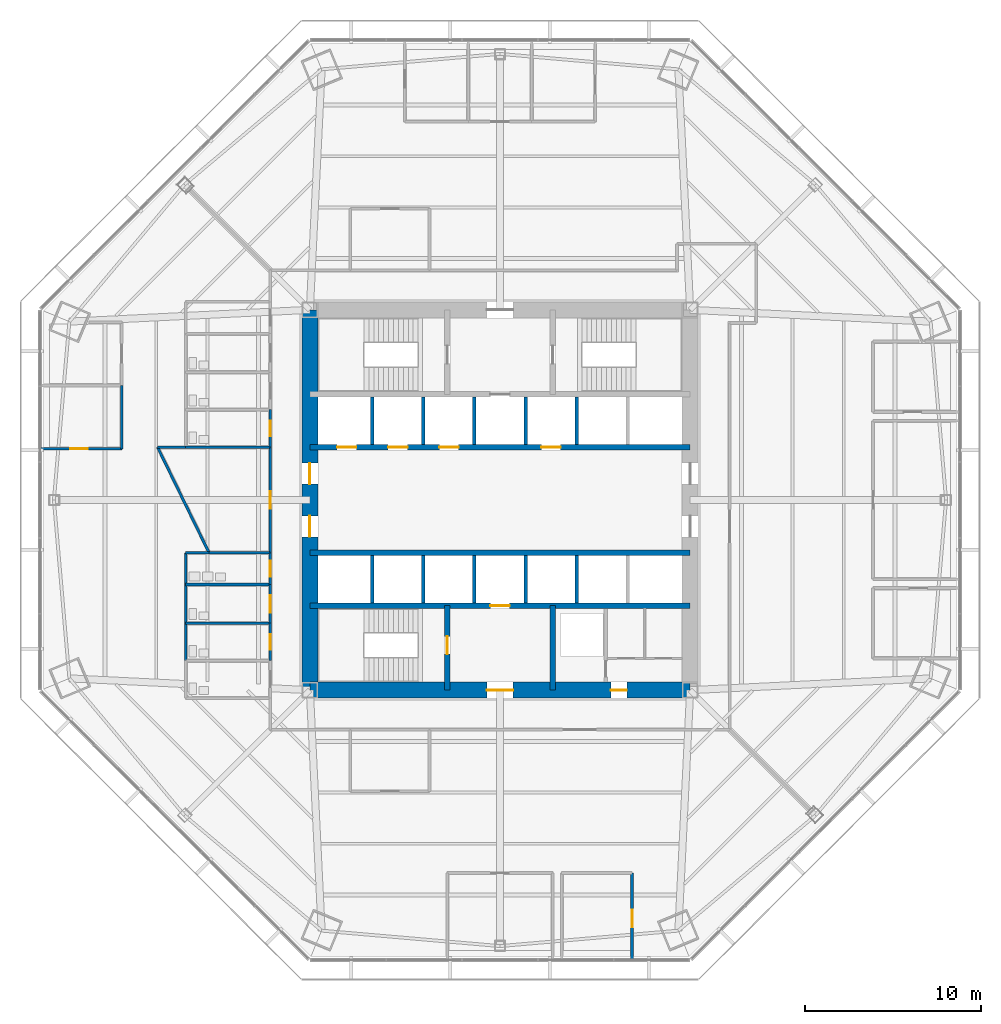
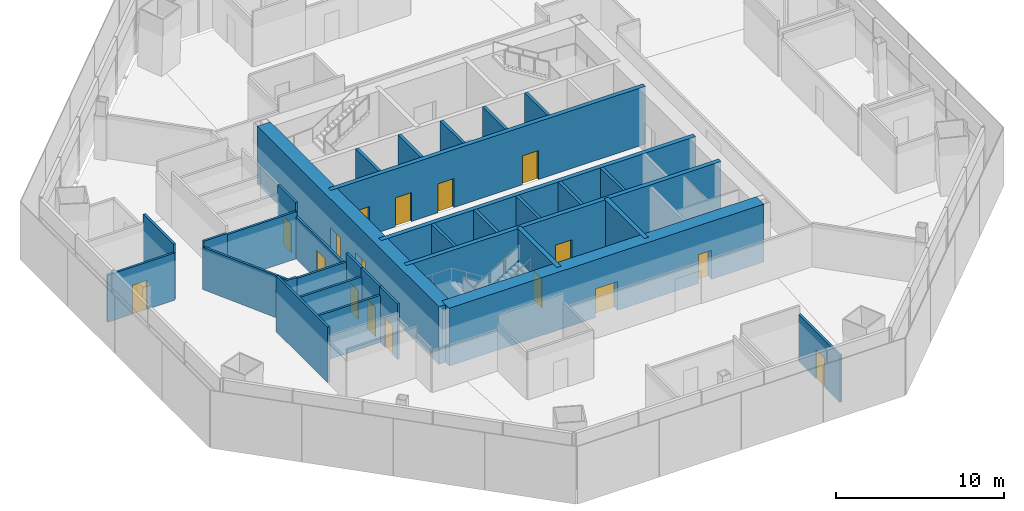
# One storey, part 9 of 15: 33 walls, 17 doors, 17 openings.
"""IFC4 building model written with IfcOpenShell, lengths in metres."""

from ifc_helpers import new_model, si_unit, direction, frame, frame_2d, origin, place, context, subcontext, project, spatial, rectangle, extrude, material, layer, layer_set, type_object, element, fill, save


model = new_model("IFC4")

# Units and contexts
model_context = context("Model", 3, precision=1e-05, world=origin(), true_north=direction((0.0, 1.0)))
body_context = subcontext(model_context, "Body", "Model", "MODEL_VIEW")
ifc_project = project(units=[si_unit("LENGTHUNIT", "METRE"), si_unit("AREAUNIT", "SQUARE_METRE"), si_unit("VOLUMEUNIT", "CUBIC_METRE"), si_unit("PLANEANGLEUNIT", "RADIAN"), si_unit("MASSUNIT", "GRAM", prefix="KILO")], contexts=[model_context])

# Site, building, storey
site_placement = place(None, origin())
site = spatial("IfcSite", under=ifc_project, at=site_placement, CompositionType="ELEMENT")
building_placement = place(site_placement, origin())
building = spatial("IfcBuilding", under=site, at=building_placement, Name="Mashrafa Tower", CompositionType="ELEMENT")
storey_placement = place(building_placement, frame((0.0, 0.0, 66.60009765625)))
storey = spatial("IfcBuildingStorey", under=building, at=storey_placement, Name="L14", CompositionType="ELEMENT", Elevation=66.60009765625)

# Wall, openings, doors
ifc_material_1 = material(Name="Concrete C60/75", Category="concrete")
ifc_layer_1 = layer(ifc_material_1, 0.300048828125)
ifc_layer_set_1 = layer_set([ifc_layer_1], Name="Core wall 300 C60/75")
wall_type_1 = type_object("IfcWallType", Name="Core wall 300 C60/75", PredefinedType="SOLIDWALL", material=ifc_layer_set_1)
wall_1_placement = place(storey_placement, frame((-10.800048828125, 3.0, 0.0), z_axis=(0.0, 0.0, 1.0), x_axis=(1.0, 0.0, 0.0)))
wall_1 = element("IfcWall", 1, at=wall_1_placement, inside=storey, type_object=wall_type_1, Name="Core wall CH-N L14", PredefinedType="SOLIDWALL", context=body_context, shape_type="SweptSolid", body=[
    extrude(rectangle(XDim=21.60009765625, YDim=0.300048828125, at=frame_2d((10.800048828125, 0.0))), origin(), (0.0, 0.0, 1.0), 4.199951171875),
])
opening_1_placement = place(wall_1_placement, frame((1.550048828125, 0.0, 0.0)))
opening_1 = element("IfcOpeningElement", 2, at=opening_1_placement, cuts=wall_1, Name="Opening 14.A1", PredefinedType="OPENING", context=body_context, shape_type="SweptSolid", body=[
    extrude(rectangle(XDim=1.10009765625, YDim=2.10009765625, at=frame_2d((0.550048828125, 1.050048828125))), frame((0.0, 0.159912109375, 0.0), z_axis=(0.0, -1.0, 0.0), x_axis=(1.0, 0.0, 0.0)), (0.0, 0.0, 1.0), 0.320068359375),
])
opening_2_placement = place(wall_1_placement, frame((4.449951171875, 0.0, 0.0)))
opening_2 = element("IfcOpeningElement", 3, at=opening_2_placement, cuts=wall_1, Name="Opening 14.A2", PredefinedType="OPENING", context=body_context, shape_type="SweptSolid", body=[
    extrude(rectangle(XDim=1.10009765625, YDim=2.10009765625, at=frame_2d((0.550048828125, 1.050048828125))), frame((0.0, 0.159912109375, 0.0), z_axis=(0.0, -1.0, 0.0), x_axis=(1.0, 0.0, 0.0)), (0.0, 0.0, 1.0), 0.320068359375),
])
opening_3_placement = place(wall_1_placement, frame((7.35009765625, 0.0, 0.0)))
opening_3 = element("IfcOpeningElement", 4, at=opening_3_placement, cuts=wall_1, Name="Opening 14.A3", PredefinedType="OPENING", context=body_context, shape_type="SweptSolid", body=[
    extrude(rectangle(XDim=1.10009765625, YDim=2.10009765625, at=frame_2d((0.550048828125, 1.050048828125))), frame((0.0, 0.159912109375, 0.0), z_axis=(0.0, -1.0, 0.0), x_axis=(1.0, 0.0, 0.0)), (0.0, 0.0, 1.0), 0.320068359375),
])
opening_4_placement = place(wall_1_placement, frame((13.14990234375, 0.0, 0.0)))
opening_4 = element("IfcOpeningElement", 5, at=opening_4_placement, cuts=wall_1, Name="Opening 14.A4", PredefinedType="OPENING", context=body_context, shape_type="SweptSolid", body=[
    extrude(rectangle(XDim=1.10009765625, YDim=2.10009765625, at=frame_2d((0.550048828125, 1.050048828125))), frame((0.0, 0.159912109375, 0.0), z_axis=(0.0, -1.0, 0.0), x_axis=(1.0, 0.0, 0.0)), (0.0, 0.0, 1.0), 0.320068359375),
])
ifc_material_2 = material(Name="Steel door", Category="steel")
door_type_1 = type_object("IfcDoorType", Name="Lift landing door 1100 x 2100 90 min", OperationType="DOUBLE_DOOR_SLIDING", PredefinedType="DOOR", material=ifc_material_2)
door_1_placement = place(opening_1_placement, origin())
door_1 = element("IfcDoor", 6, at=door_1_placement, inside=storey, type_object=door_type_1, Name="Lift landing door A1 L14", OperationType="DOUBLE_DOOR_SLIDING", OverallHeight=2.10009765625, OverallWidth=1.10009765625, PredefinedType="DOOR", context=body_context, shape_type="SweptSolid", body=[
    extrude(rectangle(XDim=1.10009765625, YDim=2.10009765625, at=frame_2d((0.550048828125, 1.050048828125))), frame((0.0, 0.02490234375, 0.0), z_axis=(0.0, -1.0, 0.0), x_axis=(1.0, 0.0, 0.0)), (0.0, 0.0, 1.0), 0.050048828125),
])
fill(opening_1, door_1)
door_2_placement = place(opening_2_placement, origin())
door_2 = element("IfcDoor", 7, at=door_2_placement, inside=storey, type_object=door_type_1, Name="Lift landing door A2 L14", OperationType="DOUBLE_DOOR_SLIDING", OverallHeight=2.10009765625, OverallWidth=1.10009765625, PredefinedType="DOOR", context=body_context, shape_type="SweptSolid", body=[
    extrude(rectangle(XDim=1.10009765625, YDim=2.10009765625, at=frame_2d((0.550048828125, 1.050048828125))), frame((0.0, 0.02490234375, 0.0), z_axis=(0.0, -1.0, 0.0), x_axis=(1.0, 0.0, 0.0)), (0.0, 0.0, 1.0), 0.050048828125),
])
fill(opening_2, door_2)
door_3_placement = place(opening_3_placement, origin())
door_3 = element("IfcDoor", 8, at=door_3_placement, inside=storey, type_object=door_type_1, Name="Lift landing door A3 L14", OperationType="DOUBLE_DOOR_SLIDING", OverallHeight=2.10009765625, OverallWidth=1.10009765625, PredefinedType="DOOR", context=body_context, shape_type="SweptSolid", body=[
    extrude(rectangle(XDim=1.10009765625, YDim=2.10009765625, at=frame_2d((0.550048828125, 1.050048828125))), frame((0.0, 0.02490234375, 0.0), z_axis=(0.0, -1.0, 0.0), x_axis=(1.0, 0.0, 0.0)), (0.0, 0.0, 1.0), 0.050048828125),
])
fill(opening_3, door_3)
door_4_placement = place(opening_4_placement, origin())
door_4 = element("IfcDoor", 9, at=door_4_placement, inside=storey, type_object=door_type_1, Name="Lift landing door A4 L14", OperationType="DOUBLE_DOOR_SLIDING", OverallHeight=2.10009765625, OverallWidth=1.10009765625, PredefinedType="DOOR", context=body_context, shape_type="SweptSolid", body=[
    extrude(rectangle(XDim=1.10009765625, YDim=2.10009765625, at=frame_2d((0.550048828125, 1.050048828125))), frame((0.0, 0.02490234375, 0.0), z_axis=(0.0, -1.0, 0.0), x_axis=(1.0, 0.0, 0.0)), (0.0, 0.0, 1.0), 0.050048828125),
])
fill(opening_4, door_4)

# Wall
wall_2_placement = place(storey_placement, frame((-10.800048828125, -3.0, 0.0), z_axis=(0.0, 0.0, 1.0), x_axis=(1.0, 0.0, 0.0)))
element("IfcWall", 10, at=wall_2_placement, inside=storey, type_object=wall_type_1, Name="Core wall CH-S L14", PredefinedType="SOLIDWALL", context=body_context, shape_type="SweptSolid", body=[
    extrude(rectangle(XDim=21.60009765625, YDim=0.300048828125, at=frame_2d((10.800048828125, 0.0))), origin(), (0.0, 0.0, 1.0), 4.199951171875),
])

# Wall, opening, door
wall_3_placement = place(storey_placement, frame((-10.800048828125, -6.0, 0.0), z_axis=(0.0, 0.0, 1.0), x_axis=(1.0, 0.0, 0.0)))
wall_3 = element("IfcWall", 11, at=wall_3_placement, inside=storey, type_object=wall_type_1, Name="Core wall CB-S L14", PredefinedType="SOLIDWALL", context=body_context, shape_type="SweptSolid", body=[
    extrude(rectangle(XDim=21.60009765625, YDim=0.300048828125, at=frame_2d((10.800048828125, 0.0))), origin(), (0.0, 0.0, 1.0), 4.199951171875),
])
opening_5_placement = place(wall_3_placement, frame((10.25, 0.0, 0.0)))
opening_5 = element("IfcOpeningElement", 12, at=opening_5_placement, cuts=wall_3, Name="Opening 14.F2", PredefinedType="OPENING", context=body_context, shape_type="SweptSolid", body=[
    extrude(rectangle(XDim=1.10009765625, YDim=2.10009765625, at=frame_2d((0.550048828125, 1.050048828125))), frame((0.0, 0.159912109375, 0.0), z_axis=(0.0, -1.0, 0.0), x_axis=(1.0, 0.0, 0.0)), (0.0, 0.0, 1.0), 0.320068359375),
])
door_5_placement = place(opening_5_placement, origin())
door_5 = element("IfcDoor", 13, at=door_5_placement, inside=storey, type_object=door_type_1, Name="Lift landing door F2 L14", OperationType="DOUBLE_DOOR_SLIDING", OverallHeight=2.10009765625, OverallWidth=1.10009765625, PredefinedType="DOOR", context=body_context, shape_type="SweptSolid", body=[
    extrude(rectangle(XDim=1.10009765625, YDim=2.10009765625, at=frame_2d((0.550048828125, 1.050048828125))), frame((0.0, 0.02490234375, 0.0), z_axis=(0.0, -1.0, 0.0), x_axis=(1.0, 0.0, 0.0)), (0.0, 0.0, 1.0), 0.050048828125),
])
fill(opening_5, door_5)

wall_4_placement = place(storey_placement, frame((-3.0, -6.0, 0.0), z_axis=(0.0, 0.0, 1.0), x_axis=(0.0, -1.0, 0.0)))
wall_4 = element("IfcWall", 14, at=wall_4_placement, inside=storey, type_object=wall_type_1, Name="Core wall CX-SW L14", PredefinedType="SOLIDWALL", context=body_context, shape_type="SweptSolid", body=[
    extrude(rectangle(XDim=4.800048828125, YDim=0.300048828125, at=frame_2d((2.39990234375, 0.0))), origin(), (0.0, 0.0, 1.0), 4.199951171875),
])
opening_6_placement = place(wall_4_placement, frame((1.75, 0.0, 0.0)))
opening_6 = element("IfcOpeningElement", 15, at=opening_6_placement, cuts=wall_4, Name="Opening 14.032", PredefinedType="OPENING", context=body_context, shape_type="SweptSolid", body=[
    extrude(rectangle(XDim=1.0, YDim=2.10009765625, at=frame_2d((0.5, 1.050048828125))), frame((0.0, 0.159912109375, 0.0), z_axis=(0.0, -1.0, 0.0), x_axis=(1.0, 0.0, 0.0)), (0.0, 0.0, 1.0), 0.320068359375),
])
ifc_material_3 = material(Name="Steel door", Category="steel")
door_type_2 = type_object("IfcDoorType", Name="Stair door 1000 x 2100 90 min", OperationType="USERDEFINED", PredefinedType="DOOR", material=ifc_material_3)
door_6_placement = place(opening_6_placement, frame((1.0, 0.0, 0.0), z_axis=(0.0, 0.0, 1.0), x_axis=(-1.0, 0.0, 0.0)))
door_6 = element("IfcDoor", 16, at=door_6_placement, inside=storey, type_object=door_type_2, Name="Stair S3 door L14", OperationType="SINGLE_SWING_RIGHT", OverallHeight=2.10009765625, OverallWidth=1.0, PredefinedType="DOOR", context=body_context, shape_type="SweptSolid", body=[
    extrude(rectangle(XDim=1.0, YDim=2.10009765625, at=frame_2d((0.5, 1.050048828125))), frame((0.0, 0.02490234375, 0.0), z_axis=(0.0, -1.0, 0.0), x_axis=(1.0, 0.0, 0.0)), (0.0, 0.0, 1.0), 0.050048828125),
])
fill(opening_6, door_6)

# Wall
wall_5_placement = place(storey_placement, frame((3.0, -6.0, 0.0), z_axis=(0.0, 0.0, 1.0), x_axis=(0.0, -1.0, 0.0)))
element("IfcWall", 17, at=wall_5_placement, inside=storey, type_object=wall_type_1, Name="Core wall CX-SE L14", PredefinedType="SOLIDWALL", context=body_context, shape_type="SweptSolid", body=[
    extrude(rectangle(XDim=4.800048828125, YDim=0.300048828125, at=frame_2d((2.39990234375, 0.0))), origin(), (0.0, 0.0, 1.0), 4.199951171875),
])

# Wall, openings, doors
ifc_material_4 = material(Name="Concrete C60/75", Category="concrete")
ifc_layer_2 = layer(ifc_material_4, 0.89990234375)
ifc_layer_set_2 = layer_set([ifc_layer_2], Name="Core wall 900 C60/75")
wall_type_2 = type_object("IfcWallType", Name="Core wall 900 C60/75", PredefinedType="SOLIDWALL", material=ifc_layer_set_2)
wall_6_placement = place(storey_placement, frame((-10.800048828125, -10.800048828125, 0.0), z_axis=(0.0, 0.0, 1.0), x_axis=(1.0, 0.0, 0.0)))
wall_6 = element("IfcWall", 18, at=wall_6_placement, inside=storey, type_object=wall_type_2, Name="Core wall CW-S L14", PredefinedType="SOLIDWALL", context=body_context, shape_type="SweptSolid", body=[
    extrude(rectangle(XDim=21.60009765625, YDim=0.89990234375, at=frame_2d((10.800048828125, 0.0))), origin(), (0.0, 0.0, 1.0), 4.199951171875),
])
opening_7_placement = place(wall_6_placement, frame((10.050048828125, 0.0, 0.0)))
opening_7 = element("IfcOpeningElement", 19, at=opening_7_placement, cuts=wall_6, Name="Opening 14.029", PredefinedType="OPENING", context=body_context, shape_type="SweptSolid", body=[
    extrude(rectangle(XDim=1.5, YDim=2.10009765625, at=frame_2d((0.75, 1.050048828125))), frame((0.0, 0.4599609375, 0.0), z_axis=(0.0, -1.0, 0.0), x_axis=(1.0, 0.0, 0.0)), (0.0, 0.0, 1.0), 0.919921875),
])
opening_8_placement = place(wall_6_placement, frame((17.10009765625, 0.0, 0.0)))
opening_8 = element("IfcOpeningElement", 20, at=opening_8_placement, cuts=wall_6, Name="Opening 14.033", PredefinedType="OPENING", context=body_context, shape_type="SweptSolid", body=[
    extrude(rectangle(XDim=0.89990234375, YDim=2.10009765625, at=frame_2d((0.449951171875, 1.050048828125))), frame((0.0, 0.4599609375, 0.0), z_axis=(0.0, -1.0, 0.0), x_axis=(1.0, 0.0, 0.0)), (0.0, 0.0, 1.0), 0.919921875),
])
ifc_material_5 = material(Name="Steel door", Category="steel")
door_type_3 = type_object("IfcDoorType", Name="Lobby door pair 1500 x 2100 90 min", OperationType="DOUBLE_DOOR_SINGLE_SWING", PredefinedType="DOOR", material=ifc_material_5)
door_7_placement = place(opening_7_placement, origin())
door_7 = element("IfcDoor", 21, at=door_7_placement, inside=storey, type_object=door_type_3, Name="Fire-fighting lobby F2 door L14", OperationType="DOUBLE_DOOR_SINGLE_SWING", OverallHeight=2.10009765625, OverallWidth=1.5, PredefinedType="DOOR", context=body_context, shape_type="SweptSolid", body=[
    extrude(rectangle(XDim=1.5, YDim=2.10009765625, at=frame_2d((0.75, 1.050048828125))), frame((0.0, 0.02490234375, 0.0), z_axis=(0.0, -1.0, 0.0), x_axis=(1.0, 0.0, 0.0)), (0.0, 0.0, 1.0), 0.050048828125),
])
fill(opening_7, door_7)
ifc_material_6 = material(Name="Steel door", Category="steel")
door_type_4 = type_object("IfcDoorType", Name="Service door 900 x 2100 90 min", OperationType="USERDEFINED", PredefinedType="DOOR", material=ifc_material_6)
door_8_placement = place(opening_8_placement, frame((0.89990234375, 0.0, 0.0), z_axis=(0.0, 0.0, 1.0), x_axis=(-1.0, 0.0, 0.0)))
door_8 = element("IfcDoor", 22, at=door_8_placement, inside=storey, type_object=door_type_4, Name="Services Lobby L14 door", OperationType="SINGLE_SWING_LEFT", OverallHeight=2.10009765625, OverallWidth=0.89990234375, PredefinedType="DOOR", context=body_context, shape_type="SweptSolid", body=[
    extrude(rectangle(XDim=0.89990234375, YDim=2.10009765625, at=frame_2d((0.449951171875, 1.050048828125))), frame((0.0, 0.02490234375, 0.0), z_axis=(0.0, -1.0, 0.0), x_axis=(1.0, 0.0, 0.0)), (0.0, 0.0, 1.0), 0.050048828125),
])
fill(opening_8, door_8)

wall_7_placement = place(storey_placement, frame((-10.800048828125, 10.800048828125, 0.0), z_axis=(0.0, 0.0, 1.0), x_axis=(0.0, -1.0, 0.0)))
wall_7 = element("IfcWall", 23, at=wall_7_placement, inside=storey, type_object=wall_type_2, Name="Core wall CW-W L14", PredefinedType="SOLIDWALL", context=body_context, shape_type="SweptSolid", body=[
    extrude(rectangle(XDim=21.60009765625, YDim=0.89990234375, at=frame_2d((10.800048828125, 0.0))), origin(), (0.0, 0.0, 1.0), 4.199951171875),
])
opening_9_placement = place(wall_7_placement, frame((8.699951171875, 0.0, 0.0)))
opening_9 = element("IfcOpeningElement", 24, at=opening_9_placement, cuts=wall_7, Name="Opening 14.025", PredefinedType="OPENING", context=body_context, shape_type="SweptSolid", body=[
    extrude(rectangle(XDim=1.199951171875, YDim=2.10009765625, at=frame_2d((0.60009765625, 1.050048828125))), frame((0.0, 0.4599609375, 0.0), z_axis=(0.0, -1.0, 0.0), x_axis=(1.0, 0.0, 0.0)), (0.0, 0.0, 1.0), 0.919921875),
])
opening_10_placement = place(wall_7_placement, frame((11.699951171875, 0.0, 0.0)))
opening_10 = element("IfcOpeningElement", 25, at=opening_10_placement, cuts=wall_7, Name="Opening 14.027", PredefinedType="OPENING", context=body_context, shape_type="SweptSolid", body=[
    extrude(rectangle(XDim=1.199951171875, YDim=2.10009765625, at=frame_2d((0.60009765625, 1.050048828125))), frame((0.0, 0.4599609375, 0.0), z_axis=(0.0, -1.0, 0.0), x_axis=(1.0, 0.0, 0.0)), (0.0, 0.0, 1.0), 0.919921875),
])
ifc_material_7 = material(Name="Steel door", Category="steel")
door_type_5 = type_object("IfcDoorType", Name="Lift hall door 1200 x 2100 90 min", OperationType="USERDEFINED", PredefinedType="DOOR", material=ifc_material_7)
door_9_placement = place(opening_9_placement, frame((1.199951171875, 0.0, 0.0), z_axis=(0.0, 0.0, 1.0), x_axis=(-1.0, 0.0, 0.0)))
door_9 = element("IfcDoor", 26, at=door_9_placement, inside=storey, type_object=door_type_5, Name="Lift hall door west L14", OperationType="SINGLE_SWING_RIGHT", OverallHeight=2.10009765625, OverallWidth=1.199951171875, PredefinedType="DOOR", context=body_context, shape_type="SweptSolid", body=[
    extrude(rectangle(XDim=1.199951171875, YDim=2.10009765625, at=frame_2d((0.60009765625, 1.050048828125))), frame((0.0, 0.02490234375, 0.0), z_axis=(0.0, -1.0, 0.0), x_axis=(1.0, 0.0, 0.0)), (0.0, 0.0, 1.0), 0.050048828125),
])
fill(opening_9, door_9)
door_10_placement = place(opening_10_placement, frame((1.199951171875, 0.0, 0.0), z_axis=(0.0, 0.0, 1.0), x_axis=(-1.0, 0.0, 0.0)))
door_10 = element("IfcDoor", 27, at=door_10_placement, inside=storey, type_object=door_type_5, Name="Lift hall door west L14", OperationType="SINGLE_SWING_LEFT", OverallHeight=2.10009765625, OverallWidth=1.199951171875, PredefinedType="DOOR", context=body_context, shape_type="SweptSolid", body=[
    extrude(rectangle(XDim=1.199951171875, YDim=2.10009765625, at=frame_2d((0.60009765625, 1.050048828125))), frame((0.0, 0.02490234375, 0.0), z_axis=(0.0, -1.0, 0.0), x_axis=(1.0, 0.0, 0.0)), (0.0, 0.0, 1.0), 0.050048828125),
])
fill(opening_10, door_10)

# Wall, opening, door
ifc_material_8 = material(Name="Gypsum board on steel studs", Category="steel")
ifc_layer_3 = layer(ifc_material_8, 0.14990234375)
ifc_layer_set_3 = layer_set([ifc_layer_3], Name="Corridor partition 150 1 hr")
wall_type_3 = type_object("IfcWallType", Name="Corridor partition 150 1 hr", PredefinedType="PARTITIONING", material=ifc_layer_set_3)
wall_8_placement = place(storey_placement, frame((-13.050048828125, 5.1259765625, 0.0), z_axis=(0.0, 0.0, 1.0), x_axis=(0.0, -1.0, 0.0)))
wall_8 = element("IfcWall", 28, at=wall_8_placement, inside=storey, type_object=wall_type_3, Name="Corridor wall L14-001", PredefinedType="PARTITIONING", context=body_context, shape_type="SweptSolid", body=[
    extrude(rectangle(XDim=2.126953125, YDim=0.14990234375, at=frame_2d((1.0634765625, 0.0))), origin(), (0.0, 0.0, 1.0), 4.034912109375),
])
opening_11_placement = place(wall_8_placement, frame((0.613525390625, 0.0, 0.0)))
opening_11 = element("IfcOpeningElement", 29, at=opening_11_placement, cuts=wall_8, Name="Opening 14.001", PredefinedType="OPENING", context=body_context, shape_type="SweptSolid", body=[
    extrude(rectangle(XDim=0.89990234375, YDim=2.10009765625, at=frame_2d((0.449951171875, 1.050048828125))), frame((0.0, 0.0849609375, 0.0), z_axis=(0.0, -1.0, 0.0), x_axis=(1.0, 0.0, 0.0)), (0.0, 0.0, 1.0), 0.169921875),
])
ifc_material_9 = material(Name="Timber door", Category="wood")
door_type_6 = type_object("IfcDoorType", Name="Toilet door 900 x 2100", OperationType="USERDEFINED", PredefinedType="DOOR", material=ifc_material_9)
door_11_placement = place(opening_11_placement, frame((0.89990234375, 0.0, 0.0), z_axis=(0.0, 0.0, 1.0), x_axis=(-1.0, 0.0, 0.0)))
door_11 = element("IfcDoor", 30, at=door_11_placement, inside=storey, type_object=door_type_6, Name="WC Female L14 N door", OperationType="SINGLE_SWING_RIGHT", OverallHeight=2.10009765625, OverallWidth=0.89990234375, PredefinedType="DOOR", context=body_context, shape_type="SweptSolid", body=[
    extrude(rectangle(XDim=0.89990234375, YDim=2.10009765625, at=frame_2d((0.449951171875, 1.050048828125))), frame((0.0, 0.02490234375, 0.0), z_axis=(0.0, -1.0, 0.0), x_axis=(1.0, 0.0, 0.0)), (0.0, 0.0, 1.0), 0.050048828125),
])
fill(opening_11, door_11)

wall_9_placement = place(storey_placement, frame((-13.050048828125, -6.9990234375, 0.0), z_axis=(0.0, 0.0, 1.0), x_axis=(0.0, -1.0, 0.0)))
wall_9 = element("IfcWall", 31, at=wall_9_placement, inside=storey, type_object=wall_type_3, Name="Corridor wall L14-006", PredefinedType="PARTITIONING", context=body_context, shape_type="SweptSolid", body=[
    extrude(rectangle(XDim=2.126953125, YDim=0.14990234375, at=frame_2d((1.0634765625, 0.0))), origin(), (0.0, 0.0, 1.0), 4.034912109375),
])
opening_12_placement = place(wall_9_placement, frame((0.613525390625, 0.0, 0.0)))
opening_12 = element("IfcOpeningElement", 32, at=opening_12_placement, cuts=wall_9, Name="Opening 14.006", PredefinedType="OPENING", context=body_context, shape_type="SweptSolid", body=[
    extrude(rectangle(XDim=0.89990234375, YDim=2.10009765625, at=frame_2d((0.449951171875, 1.050048828125))), frame((0.0, 0.0849609375, 0.0), z_axis=(0.0, -1.0, 0.0), x_axis=(1.0, 0.0, 0.0)), (0.0, 0.0, 1.0), 0.169921875),
])
door_12_placement = place(opening_12_placement, frame((0.89990234375, 0.0, 0.0), z_axis=(0.0, 0.0, 1.0), x_axis=(-1.0, 0.0, 0.0)))
door_12 = element("IfcDoor", 33, at=door_12_placement, inside=storey, type_object=door_type_6, Name="WC Male L14 S door", OperationType="SINGLE_SWING_RIGHT", OverallHeight=2.10009765625, OverallWidth=0.89990234375, PredefinedType="DOOR", context=body_context, shape_type="SweptSolid", body=[
    extrude(rectangle(XDim=0.89990234375, YDim=2.10009765625, at=frame_2d((0.449951171875, 1.050048828125))), frame((0.0, 0.02490234375, 0.0), z_axis=(0.0, -1.0, 0.0), x_axis=(1.0, 0.0, 0.0)), (0.0, 0.0, 1.0), 0.050048828125),
])
fill(opening_12, door_12)

wall_10_placement = place(storey_placement, frame((-13.050048828125, -4.799072265625, 0.0), z_axis=(0.0, 0.0, 1.0), x_axis=(0.0, -1.0, 0.0)))
wall_10 = element("IfcWall", 34, at=wall_10_placement, inside=storey, type_object=wall_type_3, Name="Corridor wall L14-007", PredefinedType="PARTITIONING", context=body_context, shape_type="SweptSolid", body=[
    extrude(rectangle(XDim=2.201904296875, YDim=0.14990234375, at=frame_2d((1.10107421875, 0.0))), origin(), (0.0, 0.0, 1.0), 4.034912109375),
])
opening_13_placement = place(wall_10_placement, frame((0.60107421875, 0.0, 0.0)))
opening_13 = element("IfcOpeningElement", 35, at=opening_13_placement, cuts=wall_10, Name="Opening 14.007", PredefinedType="OPENING", context=body_context, shape_type="SweptSolid", body=[
    extrude(rectangle(XDim=1.0, YDim=2.10009765625, at=frame_2d((0.5, 1.050048828125))), frame((0.0, 0.0849609375, 0.0), z_axis=(0.0, -1.0, 0.0), x_axis=(1.0, 0.0, 0.0)), (0.0, 0.0, 1.0), 0.169921875),
])
ifc_material_10 = material(Name="Timber door", Category="wood")
door_type_7 = type_object("IfcDoorType", Name="Accessible toilet door 1000 x 2100", OperationType="USERDEFINED", PredefinedType="DOOR", material=ifc_material_10)
door_13_placement = place(opening_13_placement, frame((1.0, 0.0, 0.0), z_axis=(0.0, 0.0, 1.0), x_axis=(-1.0, 0.0, 0.0)))
door_13 = element("IfcDoor", 36, at=door_13_placement, inside=storey, type_object=door_type_7, Name="Accessible WC L14 S door", OperationType="SINGLE_SWING_LEFT", OverallHeight=2.10009765625, OverallWidth=1.0, PredefinedType="DOOR", context=body_context, shape_type="SweptSolid", body=[
    extrude(rectangle(XDim=1.0, YDim=2.10009765625, at=frame_2d((0.5, 1.050048828125))), frame((0.0, 0.02490234375, 0.0), z_axis=(0.0, -1.0, 0.0), x_axis=(1.0, 0.0, 0.0)), (0.0, 0.0, 1.0), 0.050048828125),
])
fill(opening_13, door_13)

wall_11_placement = place(storey_placement, frame((-13.050048828125, -2.9990234375, 0.0), z_axis=(0.0, 0.0, 1.0), x_axis=(0.0, -1.0, 0.0)))
wall_11 = element("IfcWall", 37, at=wall_11_placement, inside=storey, type_object=wall_type_3, Name="Corridor wall L14-008", PredefinedType="PARTITIONING", context=body_context, shape_type="SweptSolid", body=[
    extrude(rectangle(XDim=1.802001953125, YDim=0.14990234375, at=frame_2d((0.90087890625, 0.0))), origin(), (0.0, 0.0, 1.0), 4.034912109375),
])
opening_14_placement = place(wall_11_placement, frame((0.450927734375, 0.0, 0.0)))
opening_14 = element("IfcOpeningElement", 38, at=opening_14_placement, cuts=wall_11, Name="Opening 14.008", PredefinedType="OPENING", context=body_context, shape_type="SweptSolid", body=[
    extrude(rectangle(XDim=0.89990234375, YDim=2.10009765625, at=frame_2d((0.449951171875, 1.050048828125))), frame((0.0, 0.0849609375, 0.0), z_axis=(0.0, -1.0, 0.0), x_axis=(1.0, 0.0, 0.0)), (0.0, 0.0, 1.0), 0.169921875),
])
door_14_placement = place(opening_14_placement, frame((0.89990234375, 0.0, 0.0), z_axis=(0.0, 0.0, 1.0), x_axis=(-1.0, 0.0, 0.0)))
door_14 = element("IfcDoor", 39, at=door_14_placement, inside=storey, type_object=door_type_6, Name="Ablution Room L14 S door", OperationType="SINGLE_SWING_RIGHT", OverallHeight=2.10009765625, OverallWidth=0.89990234375, PredefinedType="DOOR", context=body_context, shape_type="SweptSolid", body=[
    extrude(rectangle(XDim=0.89990234375, YDim=2.10009765625, at=frame_2d((0.449951171875, 1.050048828125))), frame((0.0, 0.02490234375, 0.0), z_axis=(0.0, -1.0, 0.0), x_axis=(1.0, 0.0, 0.0)), (0.0, 0.0, 1.0), 0.050048828125),
])
fill(opening_14, door_14)

wall_12_placement = place(storey_placement, frame((-13.050048828125, 3.0009765625, 0.0), z_axis=(0.0, 0.0, 1.0), x_axis=(0.0, -1.0, 0.0)))
wall_12 = element("IfcWall", 40, at=wall_12_placement, inside=storey, type_object=wall_type_3, Name="Corridor wall L14-009", PredefinedType="PARTITIONING", context=body_context, shape_type="SweptSolid", body=[
    extrude(rectangle(XDim=6.001953125, YDim=0.14990234375, at=frame_2d((3.0009765625, 0.0))), origin(), (0.0, 0.0, 1.0), 3.064697265625),
])
opening_15_placement = place(wall_12_placement, frame((2.5009765625, 0.0, 0.0)))
opening_15 = element("IfcOpeningElement", 41, at=opening_15_placement, cuts=wall_12, Name="Opening 14.009", PredefinedType="OPENING", context=body_context, shape_type="SweptSolid", body=[
    extrude(rectangle(XDim=1.0, YDim=2.10009765625, at=frame_2d((0.5, 1.050048828125))), frame((0.0, 0.0849609375, 0.0), z_axis=(0.0, -1.0, 0.0), x_axis=(1.0, 0.0, 0.0)), (0.0, 0.0, 1.0), 0.169921875),
])
ifc_material_11 = material(Name="Timber door", Category="wood")
door_type_8 = type_object("IfcDoorType", Name="Door 1000 x 2100", OperationType="USERDEFINED", PredefinedType="DOOR", material=ifc_material_11)
door_15_placement = place(opening_15_placement, frame((1.0, 0.0, 0.0), z_axis=(0.0, 0.0, 1.0), x_axis=(-1.0, 0.0, 0.0)))
door_15 = element("IfcDoor", 42, at=door_15_placement, inside=storey, type_object=door_type_8, Name="Musallah Prayer Room 14 door", OperationType="SINGLE_SWING_LEFT", OverallHeight=2.10009765625, OverallWidth=1.0, PredefinedType="DOOR", context=body_context, shape_type="SweptSolid", body=[
    extrude(rectangle(XDim=1.0, YDim=2.10009765625, at=frame_2d((0.5, 1.050048828125))), frame((0.0, 0.02490234375, 0.0), z_axis=(0.0, -1.0, 0.0), x_axis=(1.0, 0.0, 0.0)), (0.0, 0.0, 1.0), 0.050048828125),
])
fill(opening_15, door_15)

# Walls
ifc_material_12 = material(Name="Gypsum board on steel studs", Category="steel")
ifc_layer_4 = layer(ifc_material_12, 0.14990234375)
ifc_layer_set_4 = layer_set([ifc_layer_4], Name="Partition 150")
wall_type_4 = type_object("IfcWallType", Name="Partition 150", PredefinedType="PARTITIONING", material=ifc_layer_set_4)
for number, where, z_axis, x_axis, name in (
    (43, (-17.85009765625, 3.0, 0.0), (0.0, 0.0, 1.0), (1.0, 0.0, 0.0), "Partition wall L14-024"),
    (44, (-13.050048828125, -7.0, 0.0), (0.0, 0.0, 1.0), (-1.0, 0.0, 0.0), "Partition wall L14-035"),
):
    element("IfcWall", number, at=place(storey_placement, frame(where, z_axis=z_axis, x_axis=x_axis)), inside=storey, type_object=wall_type_4, Name=name, PredefinedType="PARTITIONING", context=body_context, shape_type="SweptSolid", body=[
        extrude(rectangle(XDim=4.800048828125, YDim=0.14990234375, at=frame_2d((2.39990234375, 0.0))), origin(), (0.0, 0.0, 1.0), 3.4228515625),
    ])
wall_13_placement = place(storey_placement, frame((-17.85009765625, -9.125, 0.0), z_axis=(0.0, 0.0, 1.0), x_axis=(0.0, 1.0, 0.0)))
element("IfcWall", 45, at=wall_13_placement, inside=storey, type_object=wall_type_4, Name="Partition wall L14-036", PredefinedType="PARTITIONING", context=body_context, shape_type="SweptSolid", body=[
    extrude(rectangle(XDim=6.125, YDim=0.14990234375, at=frame_2d((3.0625, 0.0))), origin(), (0.0, 0.0, 1.0), 4.034912109375),
])
wall_14_placement = place(storey_placement, frame((-13.050048828125, -4.800048828125, 0.0), z_axis=(0.0, 0.0, 1.0), x_axis=(-1.0, 0.0, 0.0)))
element("IfcWall", 46, at=wall_14_placement, inside=storey, type_object=wall_type_4, Name="Partition wall L14-037", PredefinedType="PARTITIONING", context=body_context, shape_type="SweptSolid", body=[
    extrude(rectangle(XDim=4.800048828125, YDim=0.14990234375, at=frame_2d((2.39990234375, 0.0))), origin(), (0.0, 0.0, 1.0), 3.4228515625),
])
wall_15_placement = place(storey_placement, frame((-13.050048828125, -3.0, 0.0), z_axis=(0.0, 0.0, 1.0), x_axis=(-1.0, 0.0, 0.0)))
element("IfcWall", 47, at=wall_15_placement, inside=storey, type_object=wall_type_4, Name="Partition wall L14-039", PredefinedType="PARTITIONING", context=body_context, shape_type="SweptSolid", body=[
    extrude(rectangle(XDim=3.474609375, YDim=0.14990234375, at=frame_2d((1.7373046875, 0.0))), origin(), (0.0, 0.0, 1.0), 3.4228515625),
])
wall_16_placement = place(storey_placement, frame((-16.5224609375, -3.0, 0.0), z_axis=(0.0, 0.0, 1.0), x_axis=(-1.0, 0.0, 0.0)))
element("IfcWall", 48, at=wall_16_placement, inside=storey, type_object=wall_type_4, Name="Partition wall L14-040", PredefinedType="PARTITIONING", context=body_context, shape_type="SweptSolid", body=[
    extrude(rectangle(XDim=1.32763671875, YDim=0.14990234375, at=frame_2d((0.663818359375, 0.0))), origin(), (0.0, 0.0, 1.0), 3.49658203125),
])
wall_17_placement = place(storey_placement, frame((-17.84912109375, 3.0, 0.0), z_axis=(0.0, 0.0, 1.0), x_axis=(-1.0, 0.0, 0.0)))
element("IfcWall", 49, at=wall_17_placement, inside=storey, type_object=wall_type_4, Name="Partition wall L14-042", PredefinedType="PARTITIONING", context=body_context, shape_type="SweptSolid", body=[
    extrude(rectangle(XDim=1.600830078125, YDim=0.14990234375, at=frame_2d((0.80029296875, 0.0))), origin(), (0.0, 0.0, 1.0), 3.49658203125),
])
wall_18_placement = place(storey_placement, frame((-19.449951171875, 3.0, 0.0), z_axis=(0.0, 0.0, 1.0), x_axis=(0.43835589904, -0.898801482963, 0.0)))
element("IfcWall", 50, at=wall_18_placement, inside=storey, type_object=wall_type_4, Name="Partition wall L14-043", PredefinedType="PARTITIONING", context=body_context, shape_type="SweptSolid", body=[
    extrude(rectangle(XDim=6.675537109375, YDim=0.14990234375, at=frame_2d((3.337890625, 0.0))), origin(), (0.0, 0.0, 1.0), 3.064697265625),
])

# Wall, opening, door
wall_19_placement = place(storey_placement, frame((-26.11474609375, 2.904052734375, 0.0), z_axis=(0.0, 0.0, 1.0), x_axis=(1.0, 0.0, 0.0)))
wall_19 = element("IfcWall", 51, at=wall_19_placement, inside=storey, type_object=wall_type_4, Name="Partition wall L14-066", PredefinedType="PARTITIONING", context=body_context, shape_type="SweptSolid", body=[
    extrude(rectangle(XDim=4.634033203125, YDim=0.14990234375, at=frame_2d((2.31689453125, 0.0))), origin(), (0.0, 0.0, 1.0), 3.4228515625),
])
opening_16_placement = place(wall_19_placement, frame((1.698974609375, 0.0, 0.0)))
opening_16 = element("IfcOpeningElement", 52, at=opening_16_placement, cuts=wall_19, Name="Opening 14.018", PredefinedType="OPENING", context=body_context, shape_type="SweptSolid", body=[
    extrude(rectangle(XDim=1.0, YDim=2.10009765625, at=frame_2d((0.5, 1.050048828125))), frame((0.0, 0.0849609375, 0.0), z_axis=(0.0, -1.0, 0.0), x_axis=(1.0, 0.0, 0.0)), (0.0, 0.0, 1.0), 0.169921875),
])
door_16_placement = place(opening_16_placement, origin())
door_16 = element("IfcDoor", 53, at=door_16_placement, inside=storey, type_object=door_type_8, Name="Office 14-B-2 door", OperationType="SINGLE_SWING_LEFT", OverallHeight=2.10009765625, OverallWidth=1.0, PredefinedType="DOOR", context=body_context, shape_type="SweptSolid", body=[
    extrude(rectangle(XDim=1.0, YDim=2.10009765625, at=frame_2d((0.5, 1.050048828125))), frame((0.0, 0.02490234375, 0.0), z_axis=(0.0, -1.0, 0.0), x_axis=(1.0, 0.0, 0.0)), (0.0, 0.0, 1.0), 0.050048828125),
])
fill(opening_16, door_16)

# Wall
wall_20_placement = place(storey_placement, frame((-21.480712890625, 2.904052734375, 0.0), z_axis=(0.0, 0.0, 1.0), x_axis=(0.0, 1.0, 0.0)))
element("IfcWall", 54, at=wall_20_placement, inside=storey, type_object=wall_type_4, Name="Partition wall L14-067", PredefinedType="PARTITIONING", context=body_context, shape_type="SweptSolid", body=[
    extrude(rectangle(XDim=3.599853515625, YDim=0.14990234375, at=frame_2d((1.7998046875, 0.0))), origin(), (0.0, 0.0, 1.0), 4.034912109375),
])

# Wall, opening, door
wall_21_placement = place(storey_placement, frame((7.5, -26.11474609375, 0.0), z_axis=(0.0, 0.0, 1.0), x_axis=(0.0, 1.0, 0.0)))
wall_21 = element("IfcWall", 55, at=wall_21_placement, inside=storey, type_object=wall_type_4, Name="Partition wall L14-076", PredefinedType="PARTITIONING", context=body_context, shape_type="SweptSolid", body=[
    extrude(rectangle(XDim=4.93408203125, YDim=0.14990234375, at=frame_2d((2.467041015625, 0.0))), origin(), (0.0, 0.0, 1.0), 3.4228515625),
])
opening_17_placement = place(wall_21_placement, frame((1.84912109375, 0.0, 0.0)))
opening_17 = element("IfcOpeningElement", 56, at=opening_17_placement, cuts=wall_21, Name="Opening 14.021", PredefinedType="OPENING", context=body_context, shape_type="SweptSolid", body=[
    extrude(rectangle(XDim=1.0, YDim=2.10009765625, at=frame_2d((0.5, 1.050048828125))), frame((0.0, 0.0849609375, 0.0), z_axis=(0.0, -1.0, 0.0), x_axis=(1.0, 0.0, 0.0)), (0.0, 0.0, 1.0), 0.169921875),
])
door_17_placement = place(opening_17_placement, origin())
door_17 = element("IfcDoor", 57, at=door_17_placement, inside=storey, type_object=door_type_8, Name="Interview Room 14-B door", OperationType="SINGLE_SWING_LEFT", OverallHeight=2.10009765625, OverallWidth=1.0, PredefinedType="DOOR", context=body_context, shape_type="SweptSolid", body=[
    extrude(rectangle(XDim=1.0, YDim=2.10009765625, at=frame_2d((0.5, 1.050048828125))), frame((0.0, 0.02490234375, 0.0), z_axis=(0.0, -1.0, 0.0), x_axis=(1.0, 0.0, 0.0)), (0.0, 0.0, 1.0), 0.050048828125),
])
fill(opening_17, door_17)

# Walls
ifc_material_13 = material(Name="Gypsum shaft wall on steel studs", Category="steel")
ifc_layer_5 = layer(ifc_material_13, 0.199951171875)
ifc_layer_set_5 = layer_set([ifc_layer_5], Name="Shaft divider wall 200 2 hr")
wall_type_5 = type_object("IfcWallType", Name="Shaft divider wall 200 2 hr", PredefinedType="PARTITIONING", material=ifc_layer_set_5)
for number, where, z_axis, x_axis, name in (
    (58, (-7.25, 3.14990234375, 0.0), (0.0, 0.0, 1.0), (0.0, 1.0, 0.0), "Shaft divider wall N1 L14"),
    (59, (-4.35009765625, 3.14990234375, 0.0), (0.0, 0.0, 1.0), (0.0, 1.0, 0.0), "Shaft divider wall N2 L14"),
    (60, (-1.449951171875, 3.14990234375, 0.0), (0.0, 0.0, 1.0), (0.0, 1.0, 0.0), "Shaft divider wall N3 L14"),
    (61, (1.449951171875, 3.14990234375, 0.0), (0.0, 0.0, 1.0), (0.0, 1.0, 0.0), "Shaft divider wall N4 L14"),
    (62, (4.35009765625, 3.14990234375, 0.0), (0.0, 0.0, 1.0), (0.0, 1.0, 0.0), "Shaft divider wall N5 L14"),
    (63, (-7.25, -5.85009765625, 0.0), (0.0, 0.0, 1.0), (0.0, 1.0, 0.0), "Shaft divider wall S1 L14"),
    (64, (-4.35009765625, -5.85009765625, 0.0), (0.0, 0.0, 1.0), (0.0, 1.0, 0.0), "Shaft divider wall S2 L14"),
    (65, (-1.449951171875, -5.85009765625, 0.0), (0.0, 0.0, 1.0), (0.0, 1.0, 0.0), "Shaft divider wall S3 L14"),
    (66, (1.449951171875, -5.85009765625, 0.0), (0.0, 0.0, 1.0), (0.0, 1.0, 0.0), "Shaft divider wall S4 L14"),
    (67, (4.35009765625, -5.85009765625, 0.0), (0.0, 0.0, 1.0), (0.0, 1.0, 0.0), "Shaft divider wall S5 L14"),
):
    element("IfcWall", number, at=place(storey_placement, frame(where, z_axis=z_axis, x_axis=x_axis)), inside=storey, type_object=wall_type_5, Name=name, PredefinedType="PARTITIONING", context=body_context, shape_type="SweptSolid", body=[
        extrude(rectangle(XDim=2.7001953125, YDim=0.199951171875, at=frame_2d((1.35009765625, 0.0))), origin(), (0.0, 0.0, 1.0), 4.199951171875),
    ])

save(model, "model.ifc")
